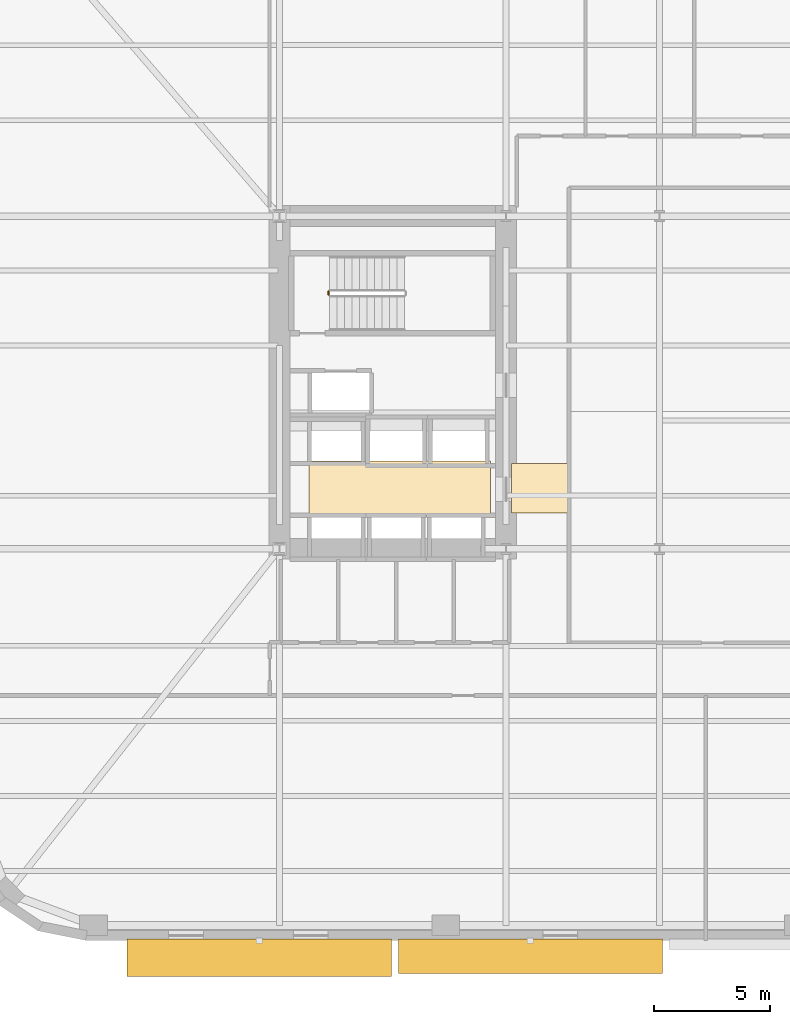
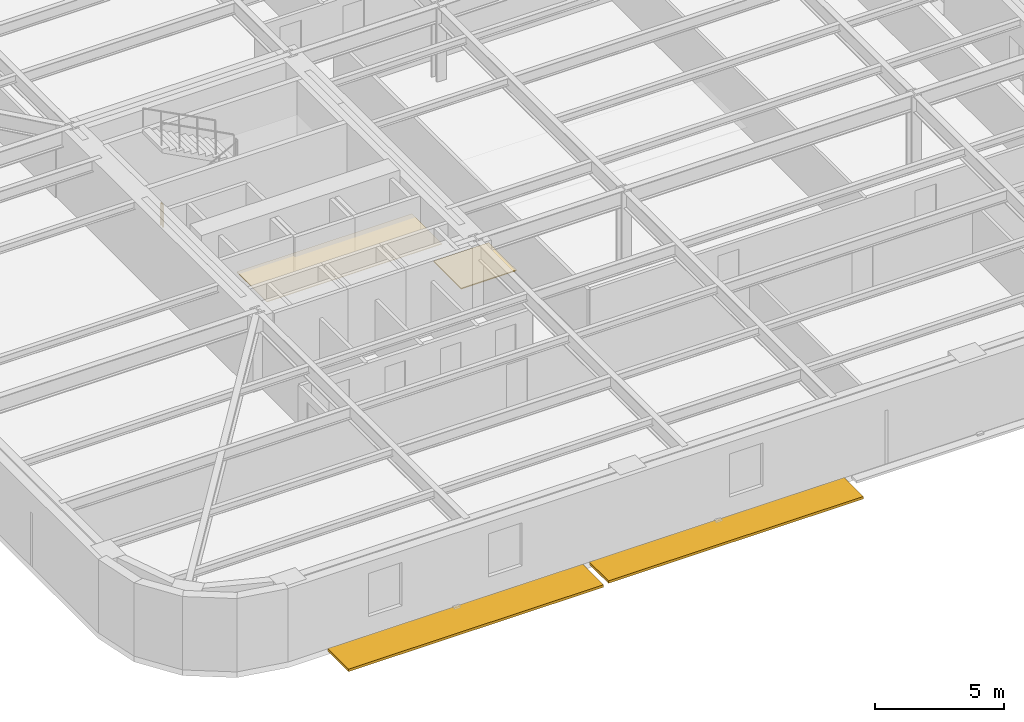
# One storey, part 9 of 15: 2 coverings, 2 shading devices, 1 railing.
"""IFC4 building model written with IfcOpenShell, lengths in metres."""

from ifc_helpers import new_model, si_unit, direction, frame, origin, origin_2d, place, context, subcontext, project, spatial, polyline, rectangle, circle, outline, extrude, material, layer, layer_set, type_object, element, save


model = new_model("IFC4")

# Units and contexts
model_context = context("Model", 3, precision=1e-05, world=origin(), true_north=direction((0.0, 1.0)))
body_context = subcontext(model_context, "Body", "Model", "MODEL_VIEW")
ifc_project = project(units=[si_unit("LENGTHUNIT", "METRE"), si_unit("AREAUNIT", "SQUARE_METRE"), si_unit("VOLUMEUNIT", "CUBIC_METRE"), si_unit("PLANEANGLEUNIT", "RADIAN"), si_unit("MASSUNIT", "GRAM", prefix="KILO")], contexts=[model_context])

# Site, building, storey
site_placement = place(None, origin())
site = spatial("IfcSite", under=ifc_project, at=site_placement, CompositionType="ELEMENT")
building_placement = place(site_placement, origin())
building = spatial("IfcBuilding", under=site, at=building_placement, Name="Kolvaren Arena Tower", CompositionType="ELEMENT")
storey_placement = place(building_placement, frame((0.0, 0.0, 68.25)))
storey = spatial("IfcBuildingStorey", under=building, at=storey_placement, Name="L14", CompositionType="ELEMENT", Elevation=68.25)

# Coverings
ifc_material_1 = material(Name="Moisture-resistant gypsum ceiling", Category="gypsum")
ifc_layer_1 = layer(ifc_material_1, 0.030029296875)
ifc_layer_set_1 = layer_set([ifc_layer_1], Name="Moisture-resistant gypsum ceiling")
covering_type_1 = type_object("IfcCoveringType", Name="CEIL-GYP-1", PredefinedType="CEILING", material=ifc_layer_set_1)
covering_1_placement = place(storey_placement, frame((0.0, 0.0, 2.52001953125)))
element("IfcCovering", 1, at=covering_1_placement, inside=storey, type_object=covering_type_1, Name="Suspended Ceiling (L14)", PredefinedType="CEILING", context=body_context, shape_type="SweptSolid", body=[
    extrude(outline(polyline([(15.820068359375, 20.89990234375), (15.820068359375, 23.239990234375), (23.679931640625, 23.239990234375), (23.679931640625, 20.89990234375), (15.820068359375, 20.89990234375)])), origin(), (0.0, 0.0, 1.0), 0.030029296875),
])
ifc_material_2 = material(Name="Raised access office floor finish", Category="aluminium")
ifc_layer_2 = layer(ifc_material_2, 0.044921875)
ifc_layer_set_2 = layer_set([ifc_layer_2], Name="Raised access office floor finish")
covering_type_2 = type_object("IfcCoveringType", Name="FLOR-RAF-1", PredefinedType="FLOORING", material=ifc_layer_set_2)
covering_2_placement = place(storey_placement, origin())
element("IfcCovering", 2, at=covering_2_placement, inside=storey, type_object=covering_type_2, Name="Floor Finish (L14)", PredefinedType="FLOORING", context=body_context, shape_type="SweptSolid", body=[
    extrude(outline(polyline([(24.60009765625, 21.0), (24.60009765625, 23.14990234375), (27.080078125, 23.14990234375), (27.080078125, 21.0), (24.60009765625, 21.0)])), origin(), (0.0, 0.0, 1.0), 0.044921875),
])

# Railing
ifc_material_3 = material(Name="Painted galvanized steel", Category="steel")
railing_type = type_object("IfcRailingType", Name="GUARD-ST-110", PredefinedType="GUARDRAIL", material=ifc_material_3)
railing_placement = place(storey_placement, frame((16.669921875, 30.43994140625, 0.0)))
element("IfcRailing", 3, at=railing_placement, inside=storey, type_object=railing_type, Name="L14 ST-W1 stair guard 4", PredefinedType="GUARDRAIL", context=body_context, shape_type="SweptSolid", body=[
    extrude(circle(Radius=0.02392578125, at=origin_2d()), frame((0.0, 0.0, 1.076171875), z_axis=(0.0, 1.0, 0.0), x_axis=(-1.0, 0.0, 0.0)), (0.0, 0.0, 1.0), 0.150146484375),
    extrude(circle(Radius=0.02099609375, at=origin_2d()), origin(), (0.0, 0.0, 1.0), 1.052001953125),
    extrude(circle(Radius=0.02099609375, at=origin_2d()), frame((0.0, 0.150146484375, 0.0)), (0.0, 0.0, 1.0), 1.052001953125),
])

# Shading devices
ifc_material_4 = material(Name="Architectural precast GFRC and anodised aluminium sunshade", Category="concrete")
shading_device_type = type_object("IfcShadingDeviceType", Name="SHAD-SINE-B", PredefinedType="JALOUSIE", material=ifc_material_4)
shading_device_1_placement = place(storey_placement, frame((25.409912109375, 1.80419921875, -0.14013671875), z_axis=(0.0, 0.0, 1.0), x_axis=(-1.0, 0.0, 0.0)))
element("IfcShadingDevice", 4, at=shading_device_1_placement, inside=storey, type_object=shading_device_type, Name="Sinusoidal Slab-Edge Sunshade Louvre (L14)", PredefinedType="JALOUSIE", context=body_context, shape_type="SweptSolid", body=[
    extrude(rectangle(XDim=11.43994140625, YDim=1.491943359375, at=origin_2d()), origin(), (0.0, 0.0, 1.0), 0.1201171875),
])
shading_device_2_placement = place(storey_placement, frame((13.669921875, 1.73876953125, -0.14013671875), z_axis=(0.0, 0.0, 1.0), x_axis=(-1.0, 0.0, 0.0)))
element("IfcShadingDevice", 5, at=shading_device_2_placement, inside=storey, type_object=shading_device_type, Name="Sinusoidal Slab-Edge Sunshade Louvre (L14)", PredefinedType="JALOUSIE", context=body_context, shape_type="SweptSolid", body=[
    extrude(rectangle(XDim=11.43994140625, YDim=1.62255859375, at=origin_2d()), origin(), (0.0, 0.0, 1.0), 0.1201171875),
])

save(model, "model.ifc")
